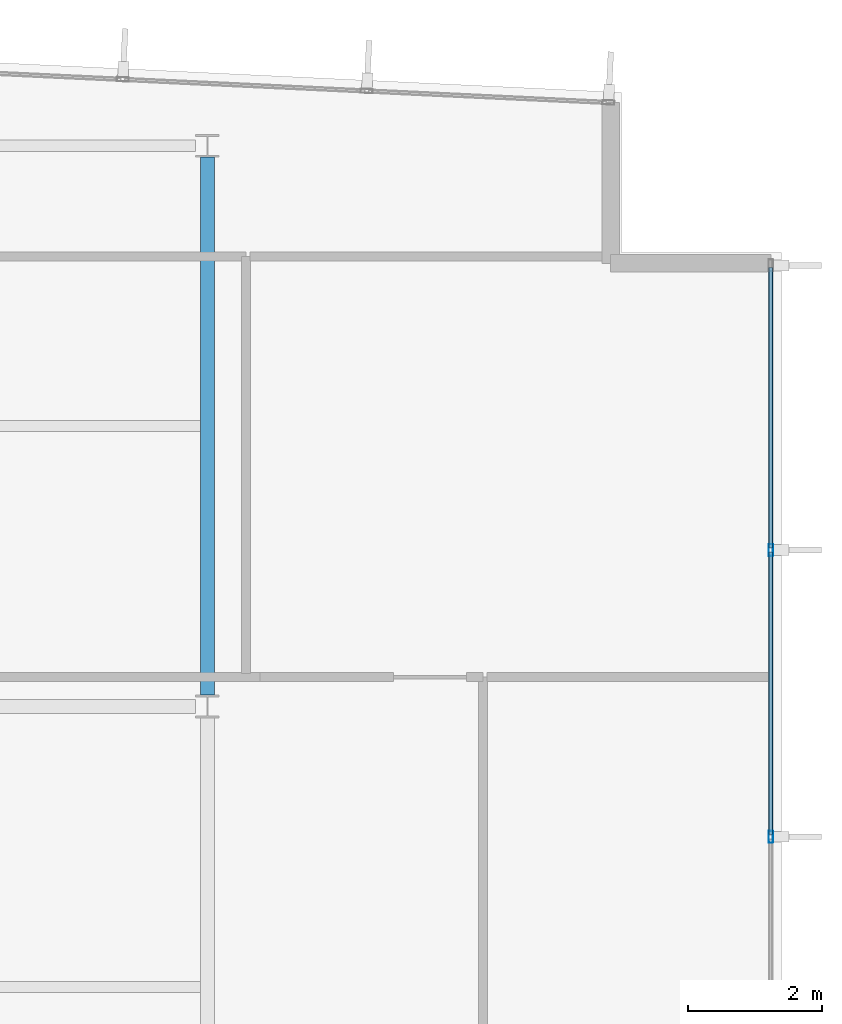
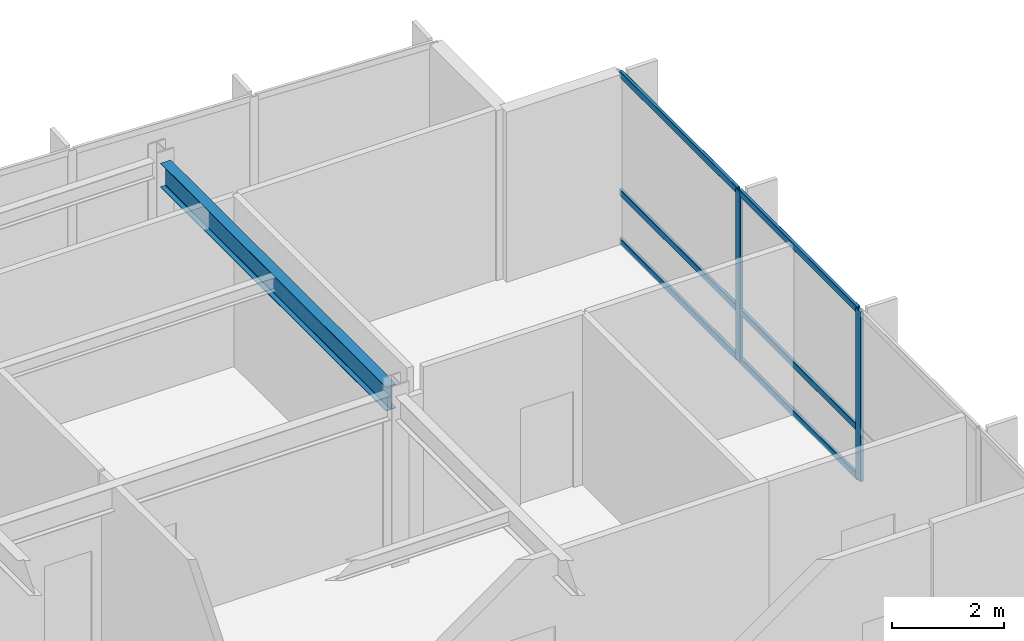
# One storey, part 8 of 16: 8 members, 1 beam, 1 element without a shape of its own.
"""IFC4 building model written with IfcOpenShell, lengths in metres."""

from ifc_helpers import new_model, si_unit, direction, frame, origin, origin_2d, place, context, subcontext, project, spatial, hollow_rectangle, i_section, extrude, material, layer, layer_set, material_profile, profile_set, type_object, element, aggregate, save


model = new_model("IFC4")

# Units and contexts
model_context = context("Model", 3, precision=1e-05, world=origin(), true_north=direction((0.0, 1.0)))
body_context = subcontext(model_context, "Body", "Model", "MODEL_VIEW")
ifc_project = project(units=[si_unit("LENGTHUNIT", "METRE"), si_unit("AREAUNIT", "SQUARE_METRE"), si_unit("VOLUMEUNIT", "CUBIC_METRE"), si_unit("PLANEANGLEUNIT", "RADIAN"), si_unit("MASSUNIT", "GRAM", prefix="KILO")], contexts=[model_context])

# Site, building, storey
site_placement = place(None, origin())
site = spatial("IfcSite", under=ifc_project, at=site_placement, CompositionType="ELEMENT")
building_placement = place(site_placement, origin())
building = spatial("IfcBuilding", under=site, at=building_placement, Name="Varnakote Quay Hospital", CompositionType="ELEMENT")
storey_placement = place(building_placement, frame((0.0, 0.0, 264.449951171875)))
storey = spatial("IfcBuildingStorey", under=building, at=storey_placement, Name="L65", CompositionType="ELEMENT", Elevation=264.449951171875)

# Beam
ifc_material_1 = material(Name="Structural steel AS/NZS 3679.1 Grade 350 L0 (fy 340 MPa)", Category="steel")
ifc_material_profile_1 = material_profile(ifc_material_1, i_section(OverallWidth=0.208984375, OverallDepth=0.528076171875, WebThickness=0.009521484375, FlangeThickness=0.01318359375, FilletRadius=0.013916015625, at=origin_2d()), Name="530UB82.0")
ifc_profile_set_1 = profile_set([ifc_material_profile_1], Name="Structural steel AS/NZS 3679.1 Grade 350 L0 (fy 340 MPa)")
beam_type = type_object("IfcBeamType", Name="BM-STL-530UB82-0", PredefinedType="BEAM", material=ifc_profile_set_1)
beam_placement = place(storey_placement, frame((33.60009765625, 20.570068359375, 3.446044921875), z_axis=(0.0, 1.0, 0.0), x_axis=(-1.0, 0.0, 0.0)))
element("IfcBeam", 1, at=beam_placement, inside=storey, type_object=beam_type, Name="L65 Primary Tie Beam", PredefinedType="BEAM", context=body_context, shape_type="SweptSolid", body=[
    extrude(i_section(OverallWidth=0.208984375, OverallDepth=0.528076171875, WebThickness=0.009521484375, FlangeThickness=0.01318359375, FilletRadius=0.013916015625, at=origin_2d()), origin(), (0.0, 0.0, 1.0), 8.059814453125),
])

# Curtain wall, members
ifc_material_2 = material(Name="Anodised aluminium 6063-T6 Bronze", Category="aluminium")
ifc_layer = layer(ifc_material_2, 0.235107421875)
ifc_layer_set = layer_set([ifc_layer], Name="Anodised aluminium 6063-T6 Bronze")
curtain_wall_type = type_object("IfcCurtainWallType", Name="CW-SYS-5", PredefinedType="NOTDEFINED", material=ifc_layer_set)
curtain_wall_placement = place(storey_placement, origin())
curtain_wall = element("IfcCurtainWall", 2, at=curtain_wall_placement, inside=storey, type_object=curtain_wall_type, Name="L65 Unitised Bronze Curtain Wall 1", PredefinedType="NOTDEFINED")
ifc_material_3 = material(Name="Anodised aluminium 6063-T6 Bronze", Category="aluminium")
ifc_material_profile_2 = material_profile(ifc_material_3, hollow_rectangle(XDim=0.06494140625, YDim=0.179931640625, WallThickness=0.00390625, InnerFilletRadius=0.00390625, OuterFilletRadius=0.008056640625, at=origin_2d()), Name="CW-MULL-180x65")
ifc_profile_set_2 = profile_set([ifc_material_profile_2], Name="Anodised aluminium 6063-T6 Bronze")
member_type_1 = type_object("IfcMemberType", Name="CW-MULL-180x65", PredefinedType="MULLION", material=ifc_profile_set_2)
member_1_placement = place(storey_placement, frame((42.0400390625, 18.447998046875, 0.0), z_axis=(0.0, 0.0, 1.0), x_axis=(-1.0, 0.0, 0.0)))
member_1 = element("IfcMember", 3, at=member_1_placement, type_object=member_type_1, Name="-5-L65-1 mullion 4", PredefinedType="MULLION", context=body_context, shape_type="SweptSolid", body=[
    extrude(hollow_rectangle(XDim=0.06494140625, YDim=0.179931640625, WallThickness=0.00390625, InnerFilletRadius=0.00390625, OuterFilletRadius=0.008056640625, at=origin_2d()), origin(), (0.0, 0.0, 1.0), 3.7099609375),
])
member_2_placement = place(storey_placement, frame((42.0400390625, 22.743896484375, 0.0), z_axis=(0.0, 0.0, 1.0), x_axis=(-1.0, 0.0, 0.0)))
member_2 = element("IfcMember", 4, at=member_2_placement, type_object=member_type_1, Name="-5-L65-1 mullion 5", PredefinedType="MULLION", context=body_context, shape_type="SweptSolid", body=[
    extrude(hollow_rectangle(XDim=0.06494140625, YDim=0.179931640625, WallThickness=0.00390625, InnerFilletRadius=0.00390625, OuterFilletRadius=0.008056640625, at=origin_2d()), origin(), (0.0, 0.0, 1.0), 3.7099609375),
])
ifc_material_4 = material(Name="Anodised aluminium 6063-T6 Bronze", Category="aluminium")
ifc_material_profile_3 = material_profile(ifc_material_4, hollow_rectangle(XDim=0.06494140625, YDim=0.139892578125, WallThickness=0.00390625, InnerFilletRadius=0.00390625, OuterFilletRadius=0.007568359375, at=origin_2d()), Name="CW-TRAN-140x65")
ifc_profile_set_3 = profile_set([ifc_material_profile_3], Name="Anodised aluminium 6063-T6 Bronze")
member_type_2 = type_object("IfcMemberType", Name="CW-TRAN-140x65", PredefinedType="USERDEFINED", material=ifc_profile_set_3)
member_3_placement = place(storey_placement, frame((42.0400390625, 18.48046875, 0.032470703125), z_axis=(0.0, 1.0, 0.0), x_axis=(-1.0, 0.0, 0.0)))
member_3 = element("IfcMember", 5, at=member_3_placement, type_object=member_type_2, Name="-5-L65-1 transom 4.1", ObjectType="TRANSOM", PredefinedType="USERDEFINED", context=body_context, shape_type="SweptSolid", body=[
    extrude(hollow_rectangle(XDim=0.06494140625, YDim=0.139892578125, WallThickness=0.00390625, InnerFilletRadius=0.00390625, OuterFilletRadius=0.007568359375, at=origin_2d()), origin(), (0.0, 0.0, 1.0), 4.23095703125),
])
member_4_placement = place(storey_placement, frame((42.0400390625, 18.48046875, 1.10009765625), z_axis=(0.0, 1.0, 0.0), x_axis=(-1.0, 0.0, 0.0)))
member_4 = element("IfcMember", 6, at=member_4_placement, type_object=member_type_2, Name="-5-L65-1 transom 4.2", ObjectType="TRANSOM", PredefinedType="USERDEFINED", context=body_context, shape_type="SweptSolid", body=[
    extrude(hollow_rectangle(XDim=0.06494140625, YDim=0.139892578125, WallThickness=0.00390625, InnerFilletRadius=0.00390625, OuterFilletRadius=0.007568359375, at=origin_2d()), origin(), (0.0, 0.0, 1.0), 4.23095703125),
])
member_5_placement = place(storey_placement, frame((42.0400390625, 18.48046875, 3.677490234375), z_axis=(0.0, 1.0, 0.0), x_axis=(-1.0, 0.0, 0.0)))
member_5 = element("IfcMember", 7, at=member_5_placement, type_object=member_type_2, Name="-5-L65-1 transom 4.3", ObjectType="TRANSOM", PredefinedType="USERDEFINED", context=body_context, shape_type="SweptSolid", body=[
    extrude(hollow_rectangle(XDim=0.06494140625, YDim=0.139892578125, WallThickness=0.00390625, InnerFilletRadius=0.00390625, OuterFilletRadius=0.007568359375, at=origin_2d()), origin(), (0.0, 0.0, 1.0), 4.23095703125),
])
member_6_placement = place(storey_placement, frame((42.0400390625, 22.776611328125, 0.032470703125), z_axis=(0.0, 1.0, 0.0), x_axis=(-1.0, 0.0, 0.0)))
member_6 = element("IfcMember", 8, at=member_6_placement, type_object=member_type_2, Name="-5-L65-1 transom 5.1", ObjectType="TRANSOM", PredefinedType="USERDEFINED", context=body_context, shape_type="SweptSolid", body=[
    extrude(hollow_rectangle(XDim=0.06494140625, YDim=0.139892578125, WallThickness=0.00390625, InnerFilletRadius=0.00390625, OuterFilletRadius=0.007568359375, at=origin_2d()), origin(), (0.0, 0.0, 1.0), 4.198486328125),
])
member_7_placement = place(storey_placement, frame((42.0400390625, 22.776611328125, 1.10009765625), z_axis=(0.0, 1.0, 0.0), x_axis=(-1.0, 0.0, 0.0)))
member_7 = element("IfcMember", 9, at=member_7_placement, type_object=member_type_2, Name="-5-L65-1 transom 5.2", ObjectType="TRANSOM", PredefinedType="USERDEFINED", context=body_context, shape_type="SweptSolid", body=[
    extrude(hollow_rectangle(XDim=0.06494140625, YDim=0.139892578125, WallThickness=0.00390625, InnerFilletRadius=0.00390625, OuterFilletRadius=0.007568359375, at=origin_2d()), origin(), (0.0, 0.0, 1.0), 4.198486328125),
])
member_8_placement = place(storey_placement, frame((42.0400390625, 22.776611328125, 3.677490234375), z_axis=(0.0, 1.0, 0.0), x_axis=(-1.0, 0.0, 0.0)))
member_8 = element("IfcMember", 10, at=member_8_placement, type_object=member_type_2, Name="-5-L65-1 transom 5.3", ObjectType="TRANSOM", PredefinedType="USERDEFINED", context=body_context, shape_type="SweptSolid", body=[
    extrude(hollow_rectangle(XDim=0.06494140625, YDim=0.139892578125, WallThickness=0.00390625, InnerFilletRadius=0.00390625, OuterFilletRadius=0.007568359375, at=origin_2d()), origin(), (0.0, 0.0, 1.0), 4.198486328125),
])
aggregate(curtain_wall, [member_1, member_2, member_3, member_4, member_5, member_6, member_7, member_8])

save(model, "model.ifc")
